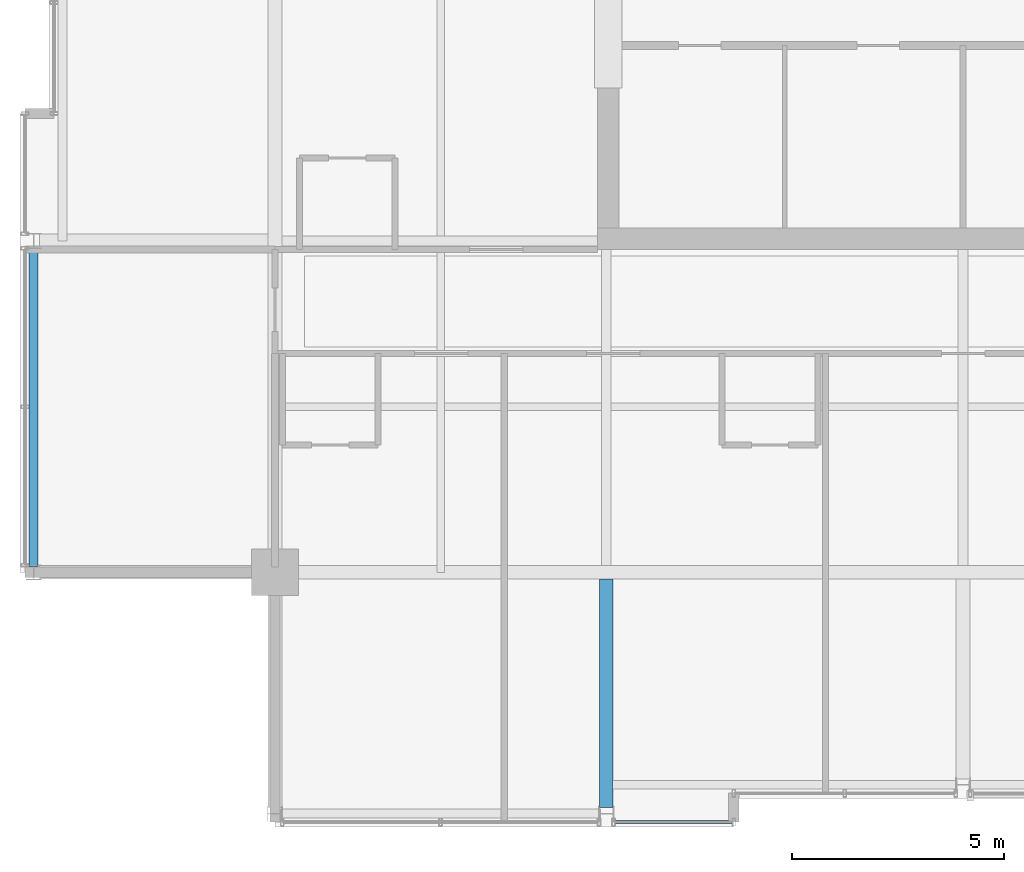
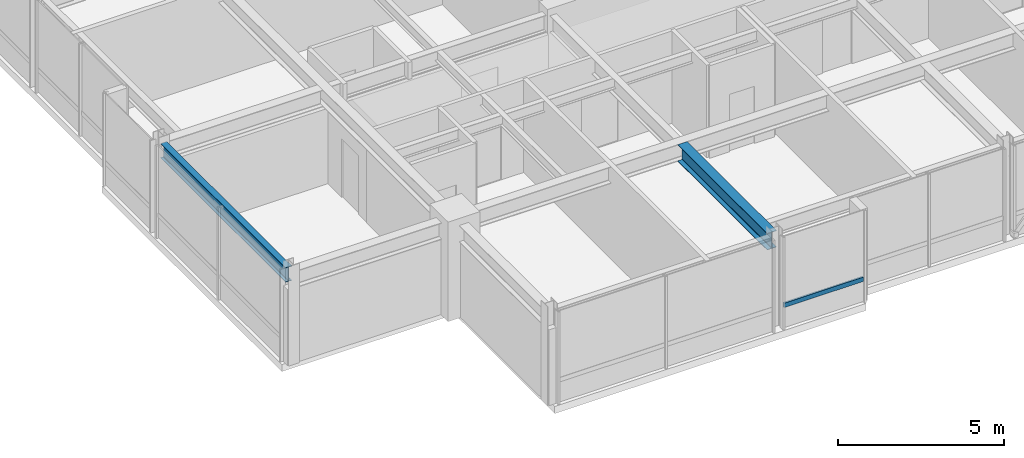
# One storey, part 5 of 34: 2 beams, 1 member, 1 element without a shape of its own.
"""IFC4 building model written with IfcOpenShell, lengths in metres."""

from ifc_helpers import new_model, si_unit, direction, frame, origin, origin_2d, place, context, subcontext, project, spatial, hollow_rectangle, i_section, extrude, material, layer, layer_set, material_profile, profile_set, type_object, element, aggregate, save


model = new_model("IFC4")

# Units and contexts
model_context = context("Model", 3, precision=1e-05, world=origin(), true_north=direction((0.0, 1.0)))
body_context = subcontext(model_context, "Body", "Model", "MODEL_VIEW")
ifc_project = project(units=[si_unit("LENGTHUNIT", "METRE"), si_unit("AREAUNIT", "SQUARE_METRE"), si_unit("VOLUMEUNIT", "CUBIC_METRE"), si_unit("PLANEANGLEUNIT", "RADIAN"), si_unit("MASSUNIT", "GRAM", prefix="KILO")], contexts=[model_context])

# Site, building, storey
site_placement = place(None, origin())
site = spatial("IfcSite", under=ifc_project, at=site_placement, CompositionType="ELEMENT")
building_placement = place(site_placement, origin())
building = spatial("IfcBuilding", under=site, at=building_placement, Name="Drelvath Grand Hotel", CompositionType="ELEMENT")
storey_placement = place(building_placement, frame((0.0, 0.0, 272.300048828125)))
storey = spatial("IfcBuildingStorey", under=building, at=storey_placement, Name="L71", CompositionType="ELEMENT", Elevation=272.300048828125)

# Curtain wall, member
ifc_material_1 = material(Name="Platinum-Mist Anodised Aluminium Frame", Category="aluminium")
ifc_layer = layer(ifc_material_1, 0.199951171875)
ifc_layer_set = layer_set([ifc_layer], Name="Platinum-Mist Anodised Aluminium Frame")
curtain_wall_type = type_object("IfcCurtainWallType", Name="Stick Curtain Wall CW-05 Platinum Mist High-Rise", PredefinedType="NOTDEFINED", material=ifc_layer_set)
curtain_wall_placement = place(storey_placement, origin())
curtain_wall = element("IfcCurtainWall", 1, at=curtain_wall_placement, inside=storey, type_object=curtain_wall_type, Name="L71 CW-05 Curtain Wall CW05-L71-SW2", PredefinedType="NOTDEFINED")
ifc_material_profile_1 = material_profile(ifc_material_1, hollow_rectangle(XDim=0.06494140625, YDim=0.159912109375, WallThickness=0.00390625, at=origin_2d()), Name="HSS160X65X4")
ifc_profile_set_1 = profile_set([ifc_material_profile_1], Name="Platinum-Mist Anodised Aluminium Frame")
member_type = type_object("IfcMemberType", Name="Curtain Wall Horizontal Transom CW-05 HSS160X65X4", PredefinedType="USERDEFINED", material=ifc_profile_set_1)
member_placement = place(storey_placement, frame((-5.43994140625, 4.919921875, 0.847412109375), z_axis=(-1.0, 0.0, 0.0), x_axis=(0.0, -1.0, 0.0)))
member = element("IfcMember", 2, at=member_placement, type_object=member_type, Name="CW05-L71-SW2 Sill Transom", ObjectType="TRANSOM", PredefinedType="USERDEFINED", context=body_context, shape_type="SweptSolid", body=[
    extrude(hollow_rectangle(XDim=0.06494140625, YDim=0.159912109375, WallThickness=0.00390625, at=origin_2d()), origin(), (0.0, 0.0, 1.0), 2.75),
])
aggregate(curtain_wall, [member])

# Beams
ifc_material_2 = material(Name="Steel ASTM A992 Gr 50", Category="steel")
ifc_material_profile_2 = material_profile(ifc_material_2, i_section(OverallWidth=0.210205078125, OverallDepth=0.53662109375, WebThickness=0.010986328125, FlangeThickness=0.017333984375, FilletRadius=0.01806640625, at=origin_2d()), Name="W21X68")
ifc_profile_set_2 = profile_set([ifc_material_profile_2], Name="Steel ASTM A992 Gr 50")
beam_type_1 = type_object("IfcBeamType", Name="Perimeter Spandrel Beam W21X68", PredefinedType="SPANDREL", material=ifc_profile_set_2)
beam_1_placement = place(storey_placement, frame((-21.8798828125, 10.93994140625, 3.12158203125), z_axis=(0.0, 1.0, 0.0), x_axis=(-1.0, 0.0, 0.0)))
element("IfcBeam", 3, at=beam_1_placement, inside=storey, type_object=beam_type_1, Name="L71 Spandrel West S", PredefinedType="SPANDREL", context=body_context, shape_type="SweptSolid", body=[
    extrude(i_section(OverallWidth=0.210205078125, OverallDepth=0.53662109375, WebThickness=0.010986328125, FlangeThickness=0.017333984375, FilletRadius=0.01806640625, at=origin_2d()), origin(), (0.0, 0.0, 1.0), 7.52001953125),
])
ifc_material_profile_3 = material_profile(ifc_material_2, i_section(OverallWidth=0.323974609375, OverallDepth=0.611083984375, WebThickness=0.0126953125, FlangeThickness=0.01904296875, FilletRadius=0.02197265625, at=origin_2d()), Name="W24X104")
ifc_profile_set_3 = profile_set([ifc_material_profile_3], Name="Steel ASTM A992 Gr 50")
beam_type_2 = type_object("IfcBeamType", Name="Primary Floor Girder W24X104", PredefinedType="BEAM", material=ifc_profile_set_3)
beam_2_placement = place(storey_placement, frame((-8.39990234375, 5.260009765625, 3.08447265625), z_axis=(0.0, 1.0, 0.0), x_axis=(-1.0, 0.0, 0.0)))
element("IfcBeam", 4, at=beam_2_placement, inside=storey, type_object=beam_type_2, Name="L71 South Wing Girder 4", PredefinedType="BEAM", context=body_context, shape_type="SweptSolid", body=[
    extrude(i_section(OverallWidth=0.323974609375, OverallDepth=0.611083984375, WebThickness=0.0126953125, FlangeThickness=0.01904296875, FilletRadius=0.02197265625, at=origin_2d()), origin(), (0.0, 0.0, 1.0), 5.3779296875),
])

save(model, "model.ifc")
